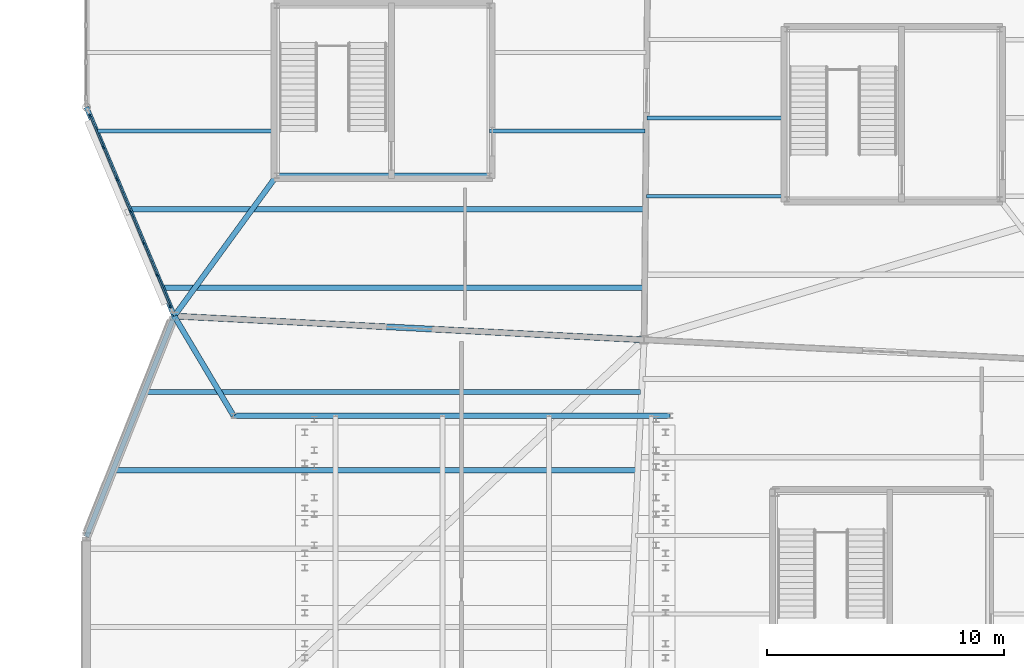
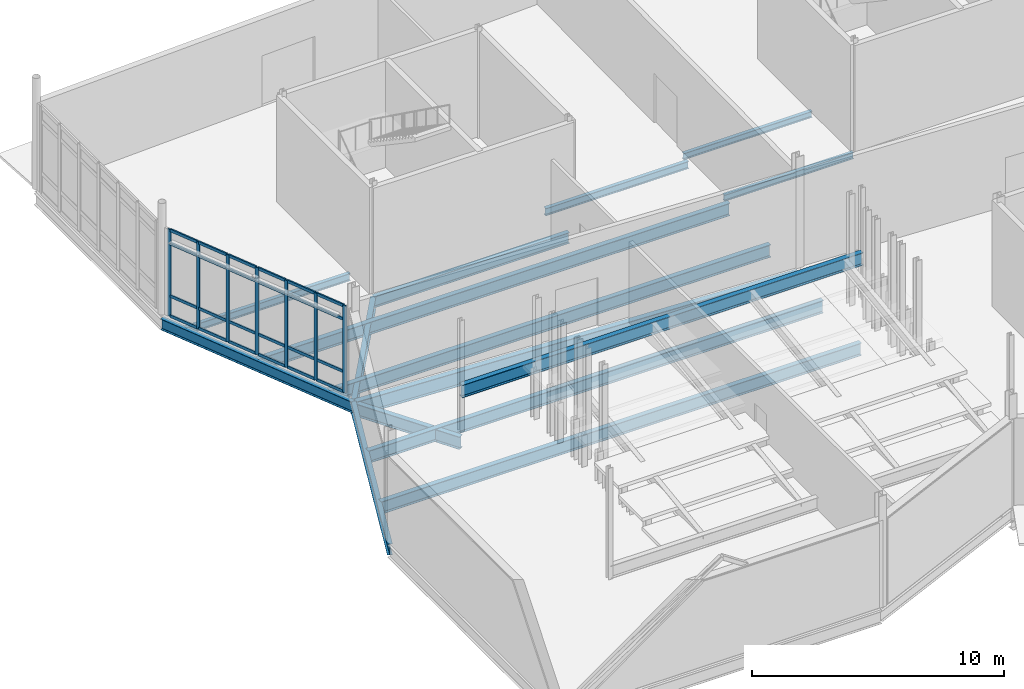
# One storey, part 24 of 113: 31 members, 15 beams, 1 element without a shape of its own.
"""IFC4 building model written with IfcOpenShell, lengths in metres."""

from ifc_helpers import new_model, si_unit, direction, frame, origin, origin_2d, place, context, subcontext, project, spatial, rectangle, i_section, extrude, material, material_profile, profile_set, type_object, element, aggregate, save


model = new_model("IFC4")

# Units and contexts
model_context = context("Model", 3, precision=1e-05, world=origin(), true_north=direction((0.0, 1.0)))
body_context = subcontext(model_context, "Body", "Model", "MODEL_VIEW")
ifc_project = project(units=[si_unit("LENGTHUNIT", "METRE"), si_unit("AREAUNIT", "SQUARE_METRE"), si_unit("VOLUMEUNIT", "CUBIC_METRE"), si_unit("PLANEANGLEUNIT", "RADIAN"), si_unit("MASSUNIT", "GRAM", prefix="KILO")], contexts=[model_context])

# Site, building, storey
site_placement = place(None, origin())
site = spatial("IfcSite", under=ifc_project, at=site_placement, CompositionType="ELEMENT")
building_placement = place(site_placement, origin())
building = spatial("IfcBuilding", under=site, at=building_placement, Name="Tameran Prism Museum", CompositionType="ELEMENT")
storey_placement = place(building_placement, origin())
storey = spatial("IfcBuildingStorey", under=building, at=storey_placement, Name="L00", CompositionType="ELEMENT", Elevation=0.0)

# Beams
ifc_material_1 = material(Name="Steel Grade 300PLUS (300 MPa)", Category="steel")
ifc_material_profile_1 = material_profile(ifc_material_1, i_section(OverallWidth=0.166015625, OverallDepth=0.306884765625, WebThickness=0.006591796875, FlangeThickness=0.01171875, FilletRadius=0.011474609375, at=origin_2d()))
ifc_profile_set_1 = profile_set([ifc_material_profile_1])
beam_type_1 = type_object("IfcBeamType", Name="BM-J310A", PredefinedType="JOIST", material=ifc_profile_set_1)
beam_1_placement = place(storey_placement, frame((23.597900390625, 28.050048828125, -0.3935546875), z_axis=(1.0, 0.0, 0.0), x_axis=(0.0, 1.0, 0.0)))
element("IfcBeam", 1, at=beam_1_placement, inside=storey, type_object=beam_type_1, Name="Floor Beam BM-0276", PredefinedType="JOIST", context=body_context, shape_type="SweptSolid", body=[
    extrude(i_section(OverallWidth=0.166015625, OverallDepth=0.306884765625, WebThickness=0.006591796875, FlangeThickness=0.01171875, FilletRadius=0.011474609375, at=origin_2d()), origin(), (0.0, 0.0, 1.0), 5.922119140625),
])
ifc_material_2 = material(Name="Steel Grade 300PLUS (300 MPa)", Category="steel")
ifc_material_profile_2 = material_profile(ifc_material_2, i_section(OverallWidth=0.1650390625, OverallDepth=0.303955078125, WebThickness=0.006103515625, FlangeThickness=0.01025390625, FilletRadius=0.011474609375, at=origin_2d()))
ifc_profile_set_2 = profile_set([ifc_material_profile_2])
beam_type_2 = type_object("IfcBeamType", Name="BM-J310B", PredefinedType="JOIST", material=ifc_profile_set_2)
beam_2_placement = place(storey_placement, frame((23.62890625, 31.35009765625, -0.39208984375), z_axis=(1.0, 0.0, 0.0), x_axis=(0.0, 1.0, 0.0)))
element("IfcBeam", 2, at=beam_2_placement, inside=storey, type_object=beam_type_2, Name="Floor Beam BM-0278", PredefinedType="JOIST", context=body_context, shape_type="SweptSolid", body=[
    extrude(i_section(OverallWidth=0.1650390625, OverallDepth=0.303955078125, WebThickness=0.006103515625, FlangeThickness=0.01025390625, FilletRadius=0.011474609375, at=origin_2d()), origin(), (0.0, 0.0, 1.0), 5.89111328125),
])
ifc_material_3 = material(Name="Steel Grade 300PLUS (300 MPa)", Category="steel")
ifc_material_profile_3 = material_profile(ifc_material_3, i_section(OverallWidth=0.1708984375, OverallDepth=0.35595703125, WebThickness=0.00732421875, FlangeThickness=0.011474609375, FilletRadius=0.011474609375, at=origin_2d()))
ifc_profile_set_3 = profile_set([ifc_material_profile_3])
beam_type_3 = type_object("IfcBeamType", Name="BM-J360B", PredefinedType="JOIST", material=ifc_profile_set_3)
beam_3_placement = place(storey_placement, frame((0.464111328125, 30.800048828125, -0.41796875), z_axis=(1.0, 0.0, 0.0), x_axis=(0.0, 1.0, 0.0)))
element("IfcBeam", 3, at=beam_3_placement, inside=storey, type_object=beam_type_3, Name="Floor Beam BM-0269", PredefinedType="JOIST", context=body_context, shape_type="SweptSolid", body=[
    extrude(i_section(OverallWidth=0.1708984375, OverallDepth=0.35595703125, WebThickness=0.00732421875, FlangeThickness=0.011474609375, FilletRadius=0.011474609375, at=origin_2d()), origin(), (0.0, 0.0, 1.0), 7.555908203125),
])
beam_4_placement = place(storey_placement, frame((16.97998046875, 30.800048828125, -0.41796875), z_axis=(1.0, 0.0, 0.0), x_axis=(0.0, 1.0, 0.0)))
element("IfcBeam", 4, at=beam_4_placement, inside=storey, type_object=beam_type_3, Name="Floor Beam BM-0270", PredefinedType="JOIST", context=body_context, shape_type="SweptSolid", body=[
    extrude(i_section(OverallWidth=0.1708984375, OverallDepth=0.35595703125, WebThickness=0.00732421875, FlangeThickness=0.011474609375, FilletRadius=0.011474609375, at=origin_2d()), origin(), (0.0, 0.0, 1.0), 6.56396484375),
])
ifc_material_4 = material(Name="Steel Grade 300PLUS (300 MPa)", Category="steel")
ifc_material_profile_4 = material_profile(ifc_material_4, i_section(OverallWidth=0.208984375, OverallDepth=0.532958984375, WebThickness=0.01025390625, FlangeThickness=0.015625, FilletRadius=0.013916015625, at=origin_2d()))
ifc_profile_set_4 = profile_set([ifc_material_profile_4])
beam_type_4 = type_object("IfcBeamType", Name="BM-SP530A", PredefinedType="SPANDREL", material=ifc_profile_set_4)
beam_5_placement = place(storey_placement, frame((3.699951171875, 23.0, -0.506591796875), z_axis=(-0.369661561468, -0.929166470538, 0.0), x_axis=(0.929166470538, -0.369661561468, 0.0)))
element("IfcBeam", 5, at=beam_5_placement, inside=storey, type_object=beam_type_4, Name="Perimeter Spandrel SP-0056", PredefinedType="SPANDREL", context=body_context, shape_type="SweptSolid", body=[
    extrude(i_section(OverallWidth=0.208984375, OverallDepth=0.532958984375, WebThickness=0.01025390625, FlangeThickness=0.015625, FilletRadius=0.013916015625, at=origin_2d()), origin(), (0.0, 0.0, 1.0), 10.009033203125),
])
beam_6_placement = place(storey_placement, frame((0.0, 31.800048828125, -0.506591796875), z_axis=(0.387582465314, -0.921835035449, 0.0), x_axis=(0.921835035449, 0.387582465314, 0.0)))
element("IfcBeam", 6, at=beam_6_placement, inside=storey, type_object=beam_type_4, Name="Perimeter Spandrel SP-0070", PredefinedType="SPANDREL", context=body_context, shape_type="SweptSolid", body=[
    extrude(i_section(OverallWidth=0.208984375, OverallDepth=0.532958984375, WebThickness=0.01025390625, FlangeThickness=0.015625, FilletRadius=0.013916015625, at=origin_2d()), origin(), (0.0, 0.0, 1.0), 9.546142578125),
])
ifc_material_5 = material(Name="Steel Grade 300PLUS (300 MPa)", Category="steel")
ifc_material_profile_5 = material_profile(ifc_material_5, i_section(OverallWidth=0.208984375, OverallDepth=0.528076171875, WebThickness=0.009521484375, FlangeThickness=0.01318359375, FilletRadius=0.013916015625, at=origin_2d()))
ifc_profile_set_5 = profile_set([ifc_material_profile_5])
beam_type_5 = type_object("IfcBeamType", Name="BM-SP530B", PredefinedType="SPANDREL", material=ifc_profile_set_5)
beam_7_placement = place(storey_placement, frame((8.02001953125, 28.919921875, -0.50390625), z_axis=(1.0, 0.0, 0.0), x_axis=(0.0, 1.0, 0.0)))
element("IfcBeam", 7, at=beam_7_placement, inside=storey, type_object=beam_type_5, Name="Core Ring Beam CTB-0138", PredefinedType="SPANDREL", context=body_context, shape_type="SweptSolid", body=[
    extrude(i_section(OverallWidth=0.208984375, OverallDepth=0.528076171875, WebThickness=0.009521484375, FlangeThickness=0.01318359375, FilletRadius=0.013916015625, at=origin_2d()), origin(), (0.0, 0.0, 1.0), 8.9599609375),
])
ifc_material_6 = material(Name="Steel Grade 350 (350 MPa)", Category="steel")
ifc_material_profile_6 = material_profile(ifc_material_6, i_section(OverallWidth=0.25, OverallDepth=0.699951171875, WebThickness=0.010009765625, FlangeThickness=0.02001953125, at=origin_2d()))
ifc_profile_set_6 = profile_set([ifc_material_profile_6])
beam_type_6 = type_object("IfcBeamType", Name="BM-SP700", PredefinedType="SPANDREL", material=ifc_profile_set_6)
beam_8_placement = place(storey_placement, frame((23.5, 22.0, -0.590087890625), z_axis=(-0.99872706092, 0.050440636263, 0.0), x_axis=(-0.050440636263, -0.99872706092, 0.0)))
element("IfcBeam", 8, at=beam_8_placement, inside=storey, type_object=beam_type_6, Name="Perimeter Spandrel SP-0055", PredefinedType="SPANDREL", context=body_context, shape_type="SweptSolid", body=[
    extrude(i_section(OverallWidth=0.25, OverallDepth=0.699951171875, WebThickness=0.010009765625, FlangeThickness=0.02001953125, at=origin_2d()), origin(), (0.0, 0.0, 1.0), 19.8251953125),
])
ifc_material_7 = material(Name="Steel Grade 300PLUS (300 MPa)", Category="steel")
ifc_material_profile_7 = material_profile(ifc_material_7, i_section(OverallWidth=0.22900390625, OverallDepth=0.612060546875, WebThickness=0.011962890625, FlangeThickness=0.01953125, FilletRadius=0.013916015625, at=origin_2d()))
ifc_profile_set_7 = profile_set([ifc_material_profile_7])
beam_type_7 = type_object("IfcBeamType", Name="BM-UB610A", PredefinedType="BEAM", material=ifc_profile_set_7)
beam_9_placement = place(storey_placement, frame((8.02001953125, 28.919921875, -0.56005859375), z_axis=(-0.589480232684, -0.807782802042, 0.0), x_axis=(0.807782802042, -0.589480232684, 0.0)))
element("IfcBeam", 9, at=beam_9_placement, inside=storey, type_object=beam_type_7, Name="Frame Tie Girder FG-1426", PredefinedType="BEAM", context=body_context, shape_type="SweptSolid", body=[
    extrude(i_section(OverallWidth=0.22900390625, OverallDepth=0.612060546875, WebThickness=0.011962890625, FlangeThickness=0.01953125, FilletRadius=0.013916015625, at=origin_2d()), origin(), (0.0, 0.0, 1.0), 7.32861328125),
])
beam_10_placement = place(storey_placement, frame((6.199951171875, 18.800048828125, -0.56005859375), z_axis=(-0.511488250512, 0.859290270856, 0.0), x_axis=(-0.859290270856, -0.511488250512, 0.0)))
element("IfcBeam", 10, at=beam_10_placement, inside=storey, type_object=beam_type_7, Name="Frame Tie Girder FG-1438", PredefinedType="BEAM", context=body_context, shape_type="SweptSolid", body=[
    extrude(i_section(OverallWidth=0.22900390625, OverallDepth=0.612060546875, WebThickness=0.011962890625, FlangeThickness=0.01953125, FilletRadius=0.013916015625, at=origin_2d()), origin(), (0.0, 0.0, 1.0), 4.8876953125),
])
beam_11_placement = place(storey_placement, frame((6.199951171875, 18.800048828125, 1.949951171875), z_axis=(1.0, 0.0, 0.0), x_axis=(0.0, 1.0, 0.0)))
element("IfcBeam", 11, at=beam_11_placement, inside=storey, type_object=beam_type_7, Name="Auditorium Raker Rear Girder RKH-1441", PredefinedType="BEAM", context=body_context, shape_type="SweptSolid", body=[
    extrude(i_section(OverallWidth=0.22900390625, OverallDepth=0.612060546875, WebThickness=0.011962890625, FlangeThickness=0.01953125, FilletRadius=0.013916015625, at=origin_2d()), origin(), (0.0, 0.0, 1.0), 18.400146484375),
])
ifc_material_8 = material(Name="Steel Grade 300PLUS (300 MPa)", Category="steel")
ifc_material_profile_8 = material_profile(ifc_material_8, i_section(OverallWidth=0.22802734375, OverallDepth=0.60693359375, WebThickness=0.01123046875, FlangeThickness=0.017333984375, FilletRadius=0.013916015625, at=origin_2d()))
ifc_profile_set_8 = profile_set([ifc_material_profile_8])
beam_type_8 = type_object("IfcBeamType", Name="BM-UB610B", PredefinedType="BEAM", material=ifc_profile_set_8)
beam_12_placement = place(storey_placement, frame((1.156982421875, 16.5, -0.54345703125), z_axis=(1.0, 0.0, 0.0), x_axis=(0.0, 1.0, 0.0)))
element("IfcBeam", 12, at=beam_12_placement, inside=storey, type_object=beam_type_8, Name="Floor Beam BM-0257", PredefinedType="BEAM", context=body_context, shape_type="SweptSolid", body=[
    extrude(i_section(OverallWidth=0.22802734375, OverallDepth=0.60693359375, WebThickness=0.01123046875, FlangeThickness=0.017333984375, FilletRadius=0.013916015625, at=origin_2d()), origin(), (0.0, 0.0, 1.0), 22.034912109375),
])
beam_13_placement = place(storey_placement, frame((2.469970703125, 19.800048828125, -0.54345703125), z_axis=(1.0, 0.0, 0.0), x_axis=(0.0, 1.0, 0.0)))
element("IfcBeam", 13, at=beam_13_placement, inside=storey, type_object=beam_type_8, Name="Floor Beam BM-0258", PredefinedType="BEAM", context=body_context, shape_type="SweptSolid", body=[
    extrude(i_section(OverallWidth=0.22802734375, OverallDepth=0.60693359375, WebThickness=0.01123046875, FlangeThickness=0.017333984375, FilletRadius=0.013916015625, at=origin_2d()), origin(), (0.0, 0.0, 1.0), 20.883056640625),
])
beam_14_placement = place(storey_placement, frame((3.239013671875, 24.199951171875, -0.54345703125), z_axis=(1.0, 0.0, 0.0), x_axis=(0.0, 1.0, 0.0)))
element("IfcBeam", 14, at=beam_14_placement, inside=storey, type_object=beam_type_8, Name="Floor Beam BM-0267", PredefinedType="BEAM", context=body_context, shape_type="SweptSolid", body=[
    extrude(i_section(OverallWidth=0.22802734375, OverallDepth=0.60693359375, WebThickness=0.01123046875, FlangeThickness=0.017333984375, FilletRadius=0.013916015625, at=origin_2d()), origin(), (0.0, 0.0, 1.0), 20.241943359375),
])
beam_15_placement = place(storey_placement, frame((1.85107421875, 27.5, -0.54345703125), z_axis=(1.0, 0.0, 0.0), x_axis=(0.0, 1.0, 0.0)))
element("IfcBeam", 15, at=beam_15_placement, inside=storey, type_object=beam_type_8, Name="Floor Beam BM-0268", PredefinedType="BEAM", context=body_context, shape_type="SweptSolid", body=[
    extrude(i_section(OverallWidth=0.22802734375, OverallDepth=0.60693359375, WebThickness=0.01123046875, FlangeThickness=0.017333984375, FilletRadius=0.013916015625, at=origin_2d()), origin(), (0.0, 0.0, 1.0), 21.660888671875),
])

# Curtain wall, members
ifc_material_9 = material(Name="Anodised Aluminium 6063-T6 and Cyclone Solar Glass", Category="aluminium")
curtain_wall_type = type_object("IfcCurtainWallType", Name="CW-FAC-879x422", PredefinedType="USERDEFINED", material=ifc_material_9)
curtain_wall_placement = place(storey_placement, origin())
curtain_wall = element("IfcCurtainWall", 16, at=curtain_wall_placement, inside=storey, type_object=curtain_wall_type, Name="Unitised Curtain Wall CW-047", ObjectType="UNITISED CURTAIN WALL", PredefinedType="USERDEFINED")
ifc_material_10 = material(Name="Anodised Aluminium Alloy 6063-T6", Category="aluminium")
ifc_material_profile_9 = material_profile(ifc_material_10, rectangle(XDim=0.06494140625, YDim=0.159912109375, at=origin_2d()))
ifc_profile_set_9 = profile_set([ifc_material_profile_9])
member_type_1 = type_object("IfcMemberType", Name="CW-MUL-A", PredefinedType="MULLION", material=ifc_profile_set_9)
member_1_placement = place(storey_placement, frame((3.5283203125, 23.407958984375, 0.0), z_axis=(0.0, 0.0, 1.0), x_axis=(-0.921843068253, -0.387563359353, 0.0)))
member_1 = element("IfcMember", 17, at=member_1_placement, type_object=member_type_1, Name="CW-047 mullion 1", PredefinedType="MULLION", context=body_context, shape_type="SweptSolid", body=[
    extrude(rectangle(XDim=0.06494140625, YDim=0.159912109375, at=origin_2d()), origin(), (0.0, 0.0, 1.0), 4.219970703125),
])
member_2_placement = place(storey_placement, frame((2.973388671875, 24.727783203125, 0.0), z_axis=(0.0, 0.0, 1.0), x_axis=(-0.921843068253, -0.387563359353, 0.0)))
member_2 = element("IfcMember", 18, at=member_2_placement, type_object=member_type_1, Name="CW-047 mullion 2", PredefinedType="MULLION", context=body_context, shape_type="SweptSolid", body=[
    extrude(rectangle(XDim=0.06494140625, YDim=0.159912109375, at=origin_2d()), origin(), (0.0, 0.0, 1.0), 4.219970703125),
])
member_3_placement = place(storey_placement, frame((2.406005859375, 26.07763671875, 0.0), z_axis=(0.0, 0.0, 1.0), x_axis=(-0.921843068253, -0.387563359353, 0.0)))
member_3 = element("IfcMember", 19, at=member_3_placement, type_object=member_type_1, Name="CW-047 mullion 3", PredefinedType="MULLION", context=body_context, shape_type="SweptSolid", body=[
    extrude(rectangle(XDim=0.06494140625, YDim=0.159912109375, at=origin_2d()), origin(), (0.0, 0.0, 1.0), 4.219970703125),
])
member_4_placement = place(storey_placement, frame((1.83837890625, 27.427490234375, 0.0), z_axis=(0.0, 0.0, 1.0), x_axis=(-0.921843068253, -0.387563359353, 0.0)))
member_4 = element("IfcMember", 20, at=member_4_placement, type_object=member_type_1, Name="CW-047 mullion 4", PredefinedType="MULLION", context=body_context, shape_type="SweptSolid", body=[
    extrude(rectangle(XDim=0.06494140625, YDim=0.159912109375, at=origin_2d()), origin(), (0.0, 0.0, 1.0), 4.219970703125),
])
member_5_placement = place(storey_placement, frame((1.27099609375, 28.77734375, 0.0), z_axis=(0.0, 0.0, 1.0), x_axis=(-0.921843068253, -0.387563359353, 0.0)))
member_5 = element("IfcMember", 21, at=member_5_placement, type_object=member_type_1, Name="CW-047 mullion 5", PredefinedType="MULLION", context=body_context, shape_type="SweptSolid", body=[
    extrude(rectangle(XDim=0.06494140625, YDim=0.159912109375, at=origin_2d()), origin(), (0.0, 0.0, 1.0), 4.219970703125),
])
member_6_placement = place(storey_placement, frame((0.70361328125, 30.127197265625, 0.0), z_axis=(0.0, 0.0, 1.0), x_axis=(-0.921843068253, -0.387563359353, 0.0)))
member_6 = element("IfcMember", 22, at=member_6_placement, type_object=member_type_1, Name="CW-047 mullion 6", PredefinedType="MULLION", context=body_context, shape_type="SweptSolid", body=[
    extrude(rectangle(XDim=0.06494140625, YDim=0.159912109375, at=origin_2d()), origin(), (0.0, 0.0, 1.0), 4.219970703125),
])
member_7_placement = place(storey_placement, frame((0.148681640625, 31.447021484375, 0.0), z_axis=(0.0, 0.0, 1.0), x_axis=(-0.921843068253, -0.387563359353, 0.0)))
member_7 = element("IfcMember", 23, at=member_7_placement, type_object=member_type_1, Name="CW-047 mullion 7", PredefinedType="MULLION", context=body_context, shape_type="SweptSolid", body=[
    extrude(rectangle(XDim=0.06494140625, YDim=0.159912109375, at=origin_2d()), origin(), (0.0, 0.0, 1.0), 4.219970703125),
])
ifc_material_11 = material(Name="Anodised Aluminium Alloy 6063-T6", Category="aluminium")
ifc_material_profile_10 = material_profile(ifc_material_11, rectangle(XDim=0.06494140625, YDim=0.139892578125, at=origin_2d()))
ifc_profile_set_10 = profile_set([ifc_material_profile_10])
member_type_2 = type_object("IfcMemberType", Name="CW-TRN-A", PredefinedType="USERDEFINED", material=ifc_profile_set_10)
member_8_placement = place(storey_placement, frame((3.515869140625, 23.43798828125, 0.032470703125), z_axis=(-0.387657641585, 0.921803424229, 0.0), x_axis=(-0.921803424229, -0.387657641585, 0.0)))
member_8 = element("IfcMember", 24, at=member_8_placement, type_object=member_type_2, Name="CW-047 transom 1.1", ObjectType="TRANSOM", PredefinedType="USERDEFINED", context=body_context, shape_type="SweptSolid", body=[
    extrude(rectangle(XDim=0.06494140625, YDim=0.139892578125, at=origin_2d()), origin(), (0.0, 0.0, 1.0), 1.36669921875),
])
member_9_placement = place(storey_placement, frame((3.515869140625, 23.43798828125, 1.0), z_axis=(-0.387657641585, 0.921803424229, 0.0), x_axis=(-0.921803424229, -0.387657641585, 0.0)))
member_9 = element("IfcMember", 25, at=member_9_placement, type_object=member_type_2, Name="CW-047 transom 1.2", ObjectType="TRANSOM", PredefinedType="USERDEFINED", context=body_context, shape_type="SweptSolid", body=[
    extrude(rectangle(XDim=0.06494140625, YDim=0.139892578125, at=origin_2d()), origin(), (0.0, 0.0, 1.0), 1.36669921875),
])
member_10_placement = place(storey_placement, frame((3.515869140625, 23.43798828125, 3.5400390625), z_axis=(-0.387657641585, 0.921803424229, 0.0), x_axis=(-0.921803424229, -0.387657641585, 0.0)))
member_10 = element("IfcMember", 26, at=member_10_placement, type_object=member_type_2, Name="CW-047 transom 1.3", ObjectType="TRANSOM", PredefinedType="USERDEFINED", context=body_context, shape_type="SweptSolid", body=[
    extrude(rectangle(XDim=0.06494140625, YDim=0.139892578125, at=origin_2d()), origin(), (0.0, 0.0, 1.0), 1.36669921875),
])
member_11_placement = place(storey_placement, frame((3.515869140625, 23.43798828125, 4.1875), z_axis=(-0.387657641585, 0.921803424229, 0.0), x_axis=(-0.921803424229, -0.387657641585, 0.0)))
member_11 = element("IfcMember", 27, at=member_11_placement, type_object=member_type_2, Name="CW-047 transom 1.4", ObjectType="TRANSOM", PredefinedType="USERDEFINED", context=body_context, shape_type="SweptSolid", body=[
    extrude(rectangle(XDim=0.06494140625, YDim=0.139892578125, at=origin_2d()), origin(), (0.0, 0.0, 1.0), 1.36669921875),
])
member_12_placement = place(storey_placement, frame((2.9609375, 24.7578125, 0.032470703125), z_axis=(-0.38754988398, 0.921848733484, 0.0), x_axis=(-0.921848733484, -0.38754988398, 0.0)))
member_12 = element("IfcMember", 28, at=member_12_placement, type_object=member_type_2, Name="CW-047 transom 2.1", ObjectType="TRANSOM", PredefinedType="USERDEFINED", context=body_context, shape_type="SweptSolid", body=[
    extrude(rectangle(XDim=0.06494140625, YDim=0.139892578125, at=origin_2d()), origin(), (0.0, 0.0, 1.0), 1.399169921875),
])
member_13_placement = place(storey_placement, frame((2.9609375, 24.7578125, 1.0), z_axis=(-0.38754988398, 0.921848733484, 0.0), x_axis=(-0.921848733484, -0.38754988398, 0.0)))
member_13 = element("IfcMember", 29, at=member_13_placement, type_object=member_type_2, Name="CW-047 transom 2.2", ObjectType="TRANSOM", PredefinedType="USERDEFINED", context=body_context, shape_type="SweptSolid", body=[
    extrude(rectangle(XDim=0.06494140625, YDim=0.139892578125, at=origin_2d()), origin(), (0.0, 0.0, 1.0), 1.399169921875),
])
member_14_placement = place(storey_placement, frame((2.9609375, 24.7578125, 3.5400390625), z_axis=(-0.38754988398, 0.921848733484, 0.0), x_axis=(-0.921848733484, -0.38754988398, 0.0)))
member_14 = element("IfcMember", 30, at=member_14_placement, type_object=member_type_2, Name="CW-047 transom 2.3", ObjectType="TRANSOM", PredefinedType="USERDEFINED", context=body_context, shape_type="SweptSolid", body=[
    extrude(rectangle(XDim=0.06494140625, YDim=0.139892578125, at=origin_2d()), origin(), (0.0, 0.0, 1.0), 1.399169921875),
])
member_15_placement = place(storey_placement, frame((2.9609375, 24.7578125, 4.1875), z_axis=(-0.38754988398, 0.921848733484, 0.0), x_axis=(-0.921848733484, -0.38754988398, 0.0)))
member_15 = element("IfcMember", 31, at=member_15_placement, type_object=member_type_2, Name="CW-047 transom 2.4", ObjectType="TRANSOM", PredefinedType="USERDEFINED", context=body_context, shape_type="SweptSolid", body=[
    extrude(rectangle(XDim=0.06494140625, YDim=0.139892578125, at=origin_2d()), origin(), (0.0, 0.0, 1.0), 1.399169921875),
])
member_16_placement = place(storey_placement, frame((2.393310546875, 26.107666015625, 0.032470703125), z_axis=(-0.38754988398, 0.921848733484, 0.0), x_axis=(-0.921848733484, -0.38754988398, 0.0)))
member_16 = element("IfcMember", 32, at=member_16_placement, type_object=member_type_2, Name="CW-047 transom 3.1", ObjectType="TRANSOM", PredefinedType="USERDEFINED", context=body_context, shape_type="SweptSolid", body=[
    extrude(rectangle(XDim=0.06494140625, YDim=0.139892578125, at=origin_2d()), origin(), (0.0, 0.0, 1.0), 1.399169921875),
])
member_17_placement = place(storey_placement, frame((2.393310546875, 26.107666015625, 1.0), z_axis=(-0.38754988398, 0.921848733484, 0.0), x_axis=(-0.921848733484, -0.38754988398, 0.0)))
member_17 = element("IfcMember", 33, at=member_17_placement, type_object=member_type_2, Name="CW-047 transom 3.2", ObjectType="TRANSOM", PredefinedType="USERDEFINED", context=body_context, shape_type="SweptSolid", body=[
    extrude(rectangle(XDim=0.06494140625, YDim=0.139892578125, at=origin_2d()), origin(), (0.0, 0.0, 1.0), 1.399169921875),
])
member_18_placement = place(storey_placement, frame((2.393310546875, 26.107666015625, 3.5400390625), z_axis=(-0.38754988398, 0.921848733484, 0.0), x_axis=(-0.921848733484, -0.38754988398, 0.0)))
member_18 = element("IfcMember", 34, at=member_18_placement, type_object=member_type_2, Name="CW-047 transom 3.3", ObjectType="TRANSOM", PredefinedType="USERDEFINED", context=body_context, shape_type="SweptSolid", body=[
    extrude(rectangle(XDim=0.06494140625, YDim=0.139892578125, at=origin_2d()), origin(), (0.0, 0.0, 1.0), 1.399169921875),
])
member_19_placement = place(storey_placement, frame((2.393310546875, 26.107666015625, 4.1875), z_axis=(-0.38754988398, 0.921848733484, 0.0), x_axis=(-0.921848733484, -0.38754988398, 0.0)))
member_19 = element("IfcMember", 35, at=member_19_placement, type_object=member_type_2, Name="CW-047 transom 3.4", ObjectType="TRANSOM", PredefinedType="USERDEFINED", context=body_context, shape_type="SweptSolid", body=[
    extrude(rectangle(XDim=0.06494140625, YDim=0.139892578125, at=origin_2d()), origin(), (0.0, 0.0, 1.0), 1.399169921875),
])
member_20_placement = place(storey_placement, frame((1.825927734375, 27.45751953125, 0.032470703125), z_axis=(-0.38754988398, 0.921848733484, 0.0), x_axis=(-0.921848733484, -0.38754988398, 0.0)))
member_20 = element("IfcMember", 36, at=member_20_placement, type_object=member_type_2, Name="CW-047 transom 4.1", ObjectType="TRANSOM", PredefinedType="USERDEFINED", context=body_context, shape_type="SweptSolid", body=[
    extrude(rectangle(XDim=0.06494140625, YDim=0.139892578125, at=origin_2d()), origin(), (0.0, 0.0, 1.0), 1.399169921875),
])
member_21_placement = place(storey_placement, frame((1.825927734375, 27.45751953125, 1.0), z_axis=(-0.38754988398, 0.921848733484, 0.0), x_axis=(-0.921848733484, -0.38754988398, 0.0)))
member_21 = element("IfcMember", 37, at=member_21_placement, type_object=member_type_2, Name="CW-047 transom 4.2", ObjectType="TRANSOM", PredefinedType="USERDEFINED", context=body_context, shape_type="SweptSolid", body=[
    extrude(rectangle(XDim=0.06494140625, YDim=0.139892578125, at=origin_2d()), origin(), (0.0, 0.0, 1.0), 1.399169921875),
])
member_22_placement = place(storey_placement, frame((1.825927734375, 27.45751953125, 3.5400390625), z_axis=(-0.38754988398, 0.921848733484, 0.0), x_axis=(-0.921848733484, -0.38754988398, 0.0)))
member_22 = element("IfcMember", 38, at=member_22_placement, type_object=member_type_2, Name="CW-047 transom 4.3", ObjectType="TRANSOM", PredefinedType="USERDEFINED", context=body_context, shape_type="SweptSolid", body=[
    extrude(rectangle(XDim=0.06494140625, YDim=0.139892578125, at=origin_2d()), origin(), (0.0, 0.0, 1.0), 1.399169921875),
])
member_23_placement = place(storey_placement, frame((1.825927734375, 27.45751953125, 4.1875), z_axis=(-0.38754988398, 0.921848733484, 0.0), x_axis=(-0.921848733484, -0.38754988398, 0.0)))
member_23 = element("IfcMember", 39, at=member_23_placement, type_object=member_type_2, Name="CW-047 transom 4.4", ObjectType="TRANSOM", PredefinedType="USERDEFINED", context=body_context, shape_type="SweptSolid", body=[
    extrude(rectangle(XDim=0.06494140625, YDim=0.139892578125, at=origin_2d()), origin(), (0.0, 0.0, 1.0), 1.399169921875),
])
member_24_placement = place(storey_placement, frame((1.25830078125, 28.807373046875, 0.032470703125), z_axis=(-0.38754988398, 0.921848733484, 0.0), x_axis=(-0.921848733484, -0.38754988398, 0.0)))
member_24 = element("IfcMember", 40, at=member_24_placement, type_object=member_type_2, Name="CW-047 transom 5.1", ObjectType="TRANSOM", PredefinedType="USERDEFINED", context=body_context, shape_type="SweptSolid", body=[
    extrude(rectangle(XDim=0.06494140625, YDim=0.139892578125, at=origin_2d()), origin(), (0.0, 0.0, 1.0), 1.399169921875),
])
member_25_placement = place(storey_placement, frame((1.25830078125, 28.807373046875, 1.0), z_axis=(-0.38754988398, 0.921848733484, 0.0), x_axis=(-0.921848733484, -0.38754988398, 0.0)))
member_25 = element("IfcMember", 41, at=member_25_placement, type_object=member_type_2, Name="CW-047 transom 5.2", ObjectType="TRANSOM", PredefinedType="USERDEFINED", context=body_context, shape_type="SweptSolid", body=[
    extrude(rectangle(XDim=0.06494140625, YDim=0.139892578125, at=origin_2d()), origin(), (0.0, 0.0, 1.0), 1.399169921875),
])
member_26_placement = place(storey_placement, frame((1.25830078125, 28.807373046875, 3.5400390625), z_axis=(-0.38754988398, 0.921848733484, 0.0), x_axis=(-0.921848733484, -0.38754988398, 0.0)))
member_26 = element("IfcMember", 42, at=member_26_placement, type_object=member_type_2, Name="CW-047 transom 5.3", ObjectType="TRANSOM", PredefinedType="USERDEFINED", context=body_context, shape_type="SweptSolid", body=[
    extrude(rectangle(XDim=0.06494140625, YDim=0.139892578125, at=origin_2d()), origin(), (0.0, 0.0, 1.0), 1.399169921875),
])
member_27_placement = place(storey_placement, frame((1.25830078125, 28.807373046875, 4.1875), z_axis=(-0.38754988398, 0.921848733484, 0.0), x_axis=(-0.921848733484, -0.38754988398, 0.0)))
member_27 = element("IfcMember", 43, at=member_27_placement, type_object=member_type_2, Name="CW-047 transom 5.4", ObjectType="TRANSOM", PredefinedType="USERDEFINED", context=body_context, shape_type="SweptSolid", body=[
    extrude(rectangle(XDim=0.06494140625, YDim=0.139892578125, at=origin_2d()), origin(), (0.0, 0.0, 1.0), 1.399169921875),
])
member_28_placement = place(storey_placement, frame((0.69091796875, 30.1572265625, 0.032470703125), z_axis=(-0.387657641585, 0.921803424229, 0.0), x_axis=(-0.921803424229, -0.387657641585, 0.0)))
member_28 = element("IfcMember", 44, at=member_28_placement, type_object=member_type_2, Name="CW-047 transom 6.1", ObjectType="TRANSOM", PredefinedType="USERDEFINED", context=body_context, shape_type="SweptSolid", body=[
    extrude(rectangle(XDim=0.06494140625, YDim=0.139892578125, at=origin_2d()), origin(), (0.0, 0.0, 1.0), 1.36669921875),
])
member_29_placement = place(storey_placement, frame((0.69091796875, 30.1572265625, 1.0), z_axis=(-0.387657641585, 0.921803424229, 0.0), x_axis=(-0.921803424229, -0.387657641585, 0.0)))
member_29 = element("IfcMember", 45, at=member_29_placement, type_object=member_type_2, Name="CW-047 transom 6.2", ObjectType="TRANSOM", PredefinedType="USERDEFINED", context=body_context, shape_type="SweptSolid", body=[
    extrude(rectangle(XDim=0.06494140625, YDim=0.139892578125, at=origin_2d()), origin(), (0.0, 0.0, 1.0), 1.36669921875),
])
member_30_placement = place(storey_placement, frame((0.69091796875, 30.1572265625, 3.5400390625), z_axis=(-0.387657641585, 0.921803424229, 0.0), x_axis=(-0.921803424229, -0.387657641585, 0.0)))
member_30 = element("IfcMember", 46, at=member_30_placement, type_object=member_type_2, Name="CW-047 transom 6.3", ObjectType="TRANSOM", PredefinedType="USERDEFINED", context=body_context, shape_type="SweptSolid", body=[
    extrude(rectangle(XDim=0.06494140625, YDim=0.139892578125, at=origin_2d()), origin(), (0.0, 0.0, 1.0), 1.36669921875),
])
member_31_placement = place(storey_placement, frame((0.69091796875, 30.1572265625, 4.1875), z_axis=(-0.387657641585, 0.921803424229, 0.0), x_axis=(-0.921803424229, -0.387657641585, 0.0)))
member_31 = element("IfcMember", 47, at=member_31_placement, type_object=member_type_2, Name="CW-047 transom 6.4", ObjectType="TRANSOM", PredefinedType="USERDEFINED", context=body_context, shape_type="SweptSolid", body=[
    extrude(rectangle(XDim=0.06494140625, YDim=0.139892578125, at=origin_2d()), origin(), (0.0, 0.0, 1.0), 1.36669921875),
])
aggregate(curtain_wall, [member_1, member_2, member_3, member_4, member_5, member_6, member_7, member_8, member_9, member_10, member_11, member_12, member_13, member_14, member_15, member_16, member_17, member_18, member_19, member_20, member_21, member_22, member_23, member_24, member_25, member_26, member_27, member_28, member_29, member_30, member_31])

save(model, "model.ifc")
